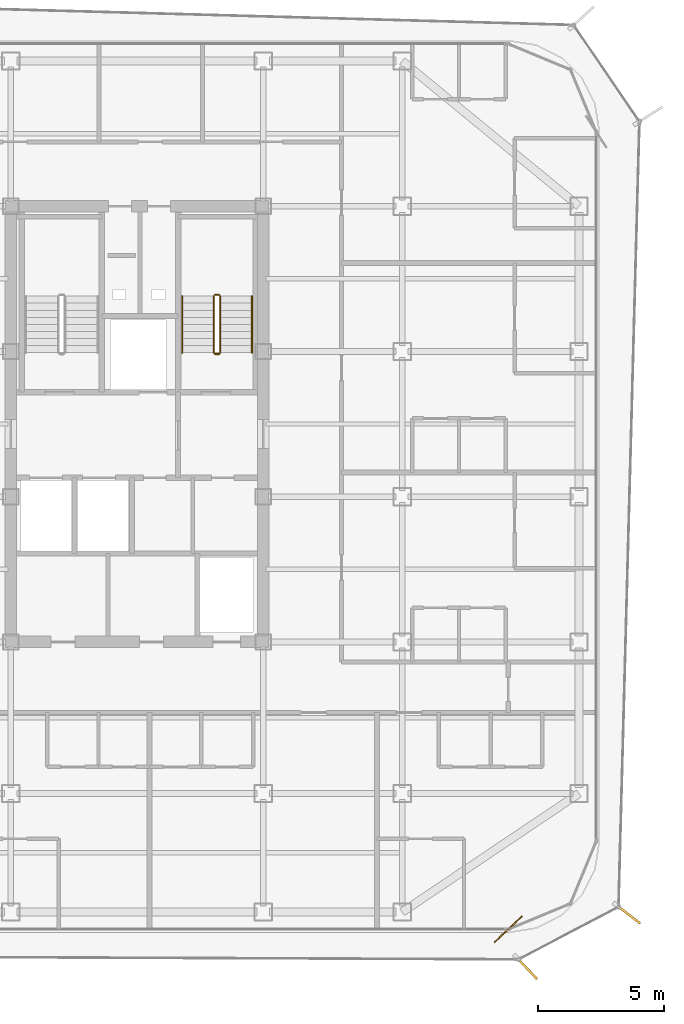
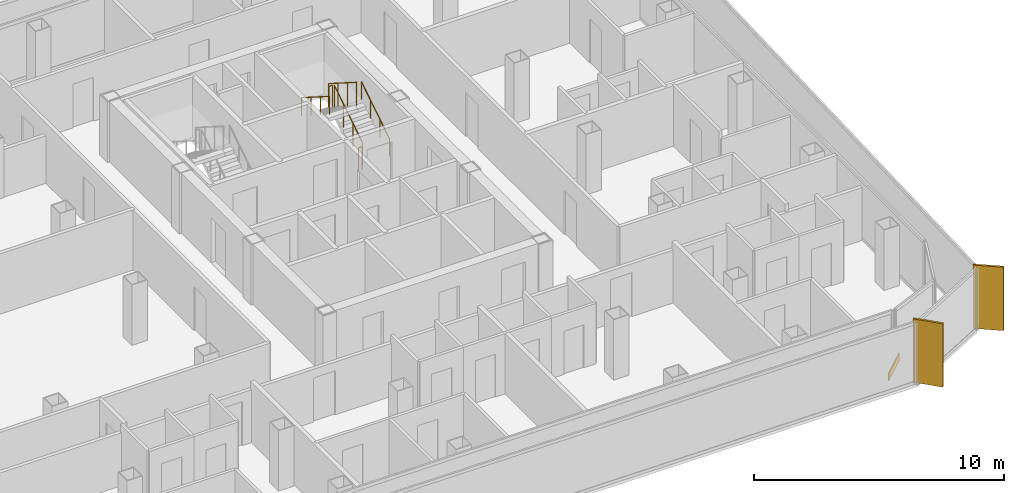
# One storey, part 15 of 16: 6 railings, 2 shading devices, 1 covering.
"""IFC4 building model written with IfcOpenShell, lengths in metres."""

from ifc_helpers import new_model, si_unit, direction, frame, origin, origin_2d, place, context, subcontext, project, spatial, rectangle, circle, extrude, source, transform, mapped, material, layer, layer_set, type_object, element, save


model = new_model("IFC4")

# Units and contexts
model_context = context("Model", 3, precision=1e-05, world=origin(), true_north=direction((0.0, 1.0)))
body_context = subcontext(model_context, "Body", "Model", "MODEL_VIEW")
ifc_project = project(units=[si_unit("LENGTHUNIT", "METRE"), si_unit("AREAUNIT", "SQUARE_METRE"), si_unit("VOLUMEUNIT", "CUBIC_METRE"), si_unit("PLANEANGLEUNIT", "RADIAN"), si_unit("MASSUNIT", "GRAM", prefix="KILO")], contexts=[model_context])

# Site, building, storey
site_placement = place(None, origin())
site = spatial("IfcSite", under=ifc_project, at=site_placement, CompositionType="ELEMENT")
building_placement = place(site_placement, origin())
building = spatial("IfcBuilding", under=site, at=building_placement, Name="Kolveth Station Tower", CompositionType="ELEMENT")
storey_placement = place(building_placement, frame((0.0, 0.0, 175.300048828125)))
storey = spatial("IfcBuildingStorey", under=building, at=storey_placement, Name="L49", CompositionType="ELEMENT", Elevation=175.300048828125)

# Railings
ifc_material_1 = material(Name="Painted Steel S355 balustrade", Category="steel")
railing_type_1 = type_object("IfcRailingType", Name="Guard_GR2", PredefinedType="BALUSTRADE", material=ifc_material_1)
railing_1_placement = place(storey_placement, frame((26.800048828125, 22.949951171875, 0.177734375)))
element("IfcRailing", 1, at=railing_1_placement, inside=storey, type_object=railing_type_1, Name="L49 ST2 stair guard 1", PredefinedType="BALUSTRADE", context=body_context, shape_type="SweptSolid", body=[
    extrude(circle(Radius=0.02392578125, at=origin_2d()), frame((0.0, 0.0, 1.1259765625), z_axis=(0.0, 0.8442293374, 0.53598211339), x_axis=(-1.0, 0.0, 0.0)), (0.0, 0.0, 1.0), 2.6533203125),
    extrude(circle(Radius=0.02099609375, at=origin_2d()), origin(), (0.0, 0.0, 1.0), 1.101806640625),
    extrude(circle(Radius=0.02099609375, at=origin_2d()), frame((0.0, 0.74658203125, 0.47412109375)), (0.0, 0.0, 1.0), 1.101806640625),
    extrude(circle(Radius=0.02099609375, at=origin_2d()), frame((0.0, 1.493408203125, 0.947998046875)), (0.0, 0.0, 1.0), 1.101806640625),
    extrude(circle(Radius=0.02099609375, at=origin_2d()), frame((0.0, 2.239990234375, 1.422119140625)), (0.0, 0.0, 1.0), 1.101806640625),
])
railing_2_placement = place(storey_placement, frame((26.75, 25.239990234375, 1.599853515625)))
element("IfcRailing", 2, at=railing_2_placement, inside=storey, type_object=railing_type_1, Name="L49 ST2 stair guard 2", PredefinedType="BALUSTRADE", context=body_context, shape_type="SweptSolid", body=[
    extrude(circle(Radius=0.02392578125, at=origin_2d()), frame((0.0, 0.0, 1.1259765625), z_axis=(-1.0, 0.0, 0.0), x_axis=(0.0, -1.0, 0.0)), (0.0, 0.0, 1.0), 0.159912109375),
    extrude(circle(Radius=0.02099609375, at=origin_2d()), origin(), (0.0, 0.0, 1.0), 1.101806640625),
    extrude(circle(Radius=0.02099609375, at=origin_2d()), frame((-0.159912109375, 0.0, 0.0)), (0.0, 0.0, 1.0), 1.101806640625),
])
railing_3_placement = place(storey_placement, frame((26.5400390625, 25.18994140625, 1.77783203125)))
element("IfcRailing", 3, at=railing_3_placement, inside=storey, type_object=railing_type_1, Name="L49 ST2 stair guard 3", PredefinedType="BALUSTRADE", context=body_context, shape_type="SweptSolid", body=[
    extrude(circle(Radius=0.02392578125, at=origin_2d()), frame((0.0, 0.0, 1.1259765625), z_axis=(0.0, -0.8442293374, 0.53598211339), x_axis=(1.0, 0.0, 0.0)), (0.0, 0.0, 1.0), 2.6533203125),
    extrude(circle(Radius=0.02099609375, at=origin_2d()), origin(), (0.0, 0.0, 1.0), 1.101806640625),
    extrude(circle(Radius=0.02099609375, at=origin_2d()), frame((0.0, -0.74658203125, 0.47412109375)), (0.0, 0.0, 1.0), 1.101806640625),
    extrude(circle(Radius=0.02099609375, at=origin_2d()), frame((0.0, -1.493408203125, 0.947998046875)), (0.0, 0.0, 1.0), 1.101806640625),
    extrude(circle(Radius=0.02099609375, at=origin_2d()), frame((0.0, -2.239990234375, 1.422119140625)), (0.0, 0.0, 1.0), 1.101806640625),
])
railing_4_placement = place(storey_placement, frame((26.75, 22.89990234375, 0.0)))
element("IfcRailing", 4, at=railing_4_placement, inside=storey, type_object=railing_type_1, Name="L49 ST2 stair guard 4", PredefinedType="BALUSTRADE", context=body_context, shape_type="SweptSolid", body=[
    extrude(circle(Radius=0.02392578125, at=origin_2d()), frame((0.0, 0.0, 1.1259765625), z_axis=(-1.0, 0.0, 0.0), x_axis=(0.0, -1.0, 0.0)), (0.0, 0.0, 1.0), 0.159912109375),
    extrude(circle(Radius=0.02099609375, at=origin_2d()), origin(), (0.0, 0.0, 1.0), 1.101806640625),
    extrude(circle(Radius=0.02099609375, at=origin_2d()), frame((-0.159912109375, 0.0, 0.0)), (0.0, 0.0, 1.0), 1.101806640625),
])
ifc_material_2 = material(Name="Brushed stainless steel", Category="steel")
railing_type_2 = type_object("IfcRailingType", Name="Handrail_HR1", PredefinedType="HANDRAIL", material=ifc_material_2)
railing_5_placement = place(storey_placement, frame((28.050048828125, 22.949951171875, 0.177734375)))
element("IfcRailing", 5, at=railing_5_placement, inside=storey, type_object=railing_type_2, Name="L49 ST2 stair handrail 1", PredefinedType="HANDRAIL", context=body_context, shape_type="SweptSolid", body=[
    extrude(circle(Radius=0.02392578125, at=origin_2d()), frame((0.0, 0.0, 0.8759765625), z_axis=(0.0, 0.8442293374, 0.53598211339), x_axis=(-1.0, 0.0, 0.0)), (0.0, 0.0, 1.0), 2.6533203125),
    extrude(circle(Radius=0.02099609375, at=origin_2d()), origin(), (0.0, 0.0, 1.0), 0.851806640625),
    extrude(circle(Radius=0.02099609375, at=origin_2d()), frame((0.0, 0.74658203125, 0.47412109375)), (0.0, 0.0, 1.0), 0.851806640625),
    extrude(circle(Radius=0.02099609375, at=origin_2d()), frame((0.0, 1.493408203125, 0.947998046875)), (0.0, 0.0, 1.0), 0.851806640625),
    extrude(circle(Radius=0.02099609375, at=origin_2d()), frame((0.0, 2.239990234375, 1.422119140625)), (0.0, 0.0, 1.0), 0.851806640625),
])
railing_6_placement = place(storey_placement, frame((25.2900390625, 25.18994140625, 1.77783203125)))
element("IfcRailing", 6, at=railing_6_placement, inside=storey, type_object=railing_type_2, Name="L49 ST2 stair handrail 2", PredefinedType="HANDRAIL", context=body_context, shape_type="SweptSolid", body=[
    extrude(circle(Radius=0.02392578125, at=origin_2d()), frame((0.0, 0.0, 0.8759765625), z_axis=(0.0, -0.8442293374, 0.53598211339), x_axis=(1.0, 0.0, 0.0)), (0.0, 0.0, 1.0), 2.6533203125),
    extrude(circle(Radius=0.02099609375, at=origin_2d()), origin(), (0.0, 0.0, 1.0), 0.851806640625),
    extrude(circle(Radius=0.02099609375, at=origin_2d()), frame((0.0, -0.74658203125, 0.47412109375)), (0.0, 0.0, 1.0), 0.851806640625),
    extrude(circle(Radius=0.02099609375, at=origin_2d()), frame((0.0, -1.493408203125, 0.947998046875)), (0.0, 0.0, 1.0), 0.851806640625),
    extrude(circle(Radius=0.02099609375, at=origin_2d()), frame((0.0, -2.239990234375, 1.422119140625)), (0.0, 0.0, 1.0), 0.851806640625),
])

# Shading devices
ifc_material_3 = material(Name="Black anodized aluminium 6063-T6", Category="aluminium")
shading_device_type = type_object("IfcShadingDeviceType", Name="FIN_VF1", PredefinedType="USERDEFINED", material=ifc_material_3)
shared_shape_1 = source(origin(), body_context, "Body", "SweptSolid", [
    extrude(rectangle(XDim=1.25, YDim=0.090087890625, at=origin_2d()), origin(), (0.0, 0.0, 1.0), 3.10009765625),
])
for number, where, z_axis, x_axis, name in (
    (7, (38.9169921875, -1.402099609375, 0.0), (0.0, 0.0, 1.0), (0.687087510804, -0.726574670971, 0.0), "L49 Dark-Aluminium Solar Fin 1"),
    (8, (42.928955078125, 0.73388671875, 0.0), (0.0, 0.0, 1.0), (0.793140794136, -0.609038324474, 0.0), "L49 Dark-Aluminium Solar Fin 2"),
):
    element("IfcShadingDevice", number, at=place(storey_placement, frame(where, z_axis=z_axis, x_axis=x_axis)), inside=storey, type_object=shading_device_type, Name=name, ObjectType="FIN", PredefinedType="USERDEFINED", context=body_context, shape_type="MappedRepresentation", body=[
        mapped(shared_shape_1, transform((0.0, 0.0, 0.0), x_axis=(1.0, 0.0, 0.0), y_axis=(0.0, 1.0, 0.0), z_axis=(0.0, 0.0, 1.0), scale=1.0)),
    ])

# Covering
ifc_material_4 = material(Name="Charcoal anodized aluminium spandrel cladding", Category="aluminium")
ifc_layer = layer(ifc_material_4, 0.044921875)
ifc_layer_set = layer_set([ifc_layer], Name="Charcoal anodized aluminium spandrel cladding")
covering_type = type_object("IfcCoveringType", Name="Clad_CD1", PredefinedType="CLADDING", material=ifc_layer_set)
shared_shape_2 = source(origin(), body_context, "Body", "SweptSolid", [
    extrude(rectangle(XDim=1.5, YDim=0.044921875, at=origin_2d()), origin(), (0.0, 0.0, 1.0), 0.360107421875),
])
covering_placement = place(storey_placement, frame((38.199951171875, 0.1201171875, 0.0), z_axis=(0.0, 0.0, 1.0), x_axis=(0.726574670971, 0.687087510804, 0.0)))
element("IfcCovering", 9, at=covering_placement, inside=storey, type_object=covering_type, Name="L49 Spandrel Edge Cladding 1", PredefinedType="CLADDING", context=body_context, shape_type="MappedRepresentation", body=[
    mapped(shared_shape_2, transform((0.0, 0.0, 0.0), x_axis=(1.0, 0.0, 0.0), y_axis=(0.0, 1.0, 0.0), z_axis=(0.0, 0.0, 1.0), scale=1.0)),
])

save(model, "model.ifc")
